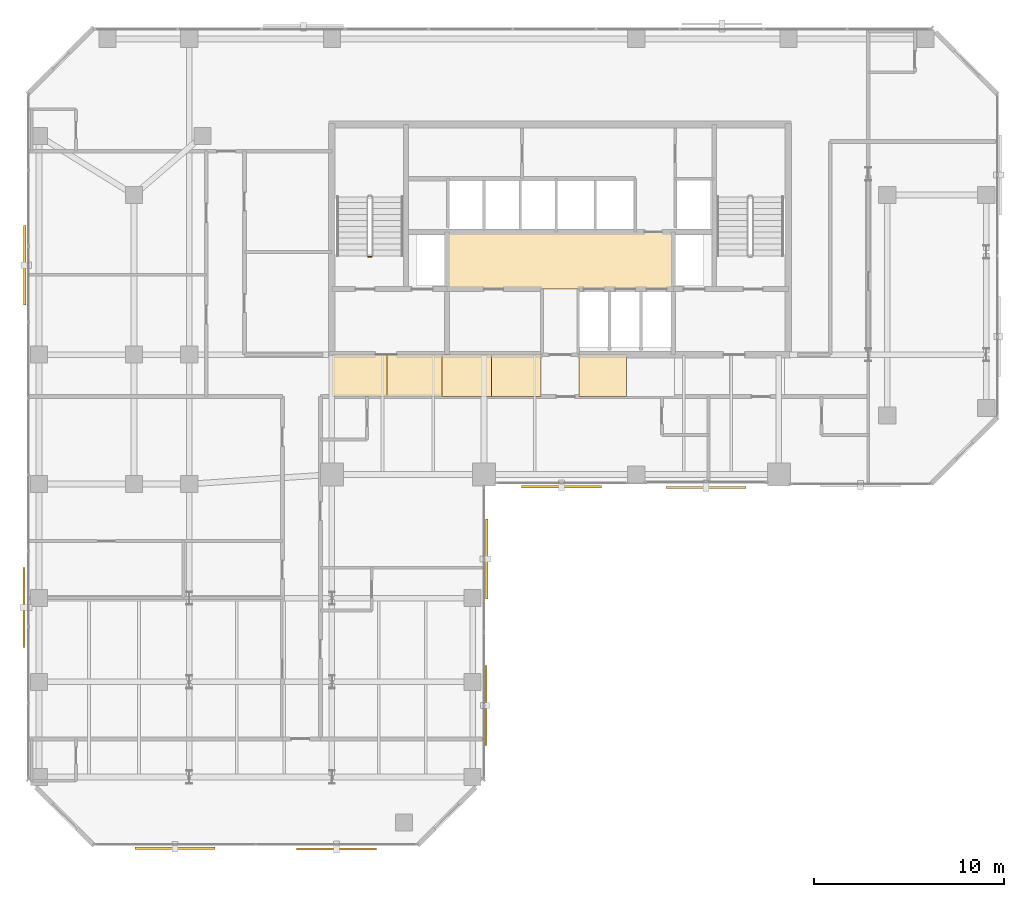
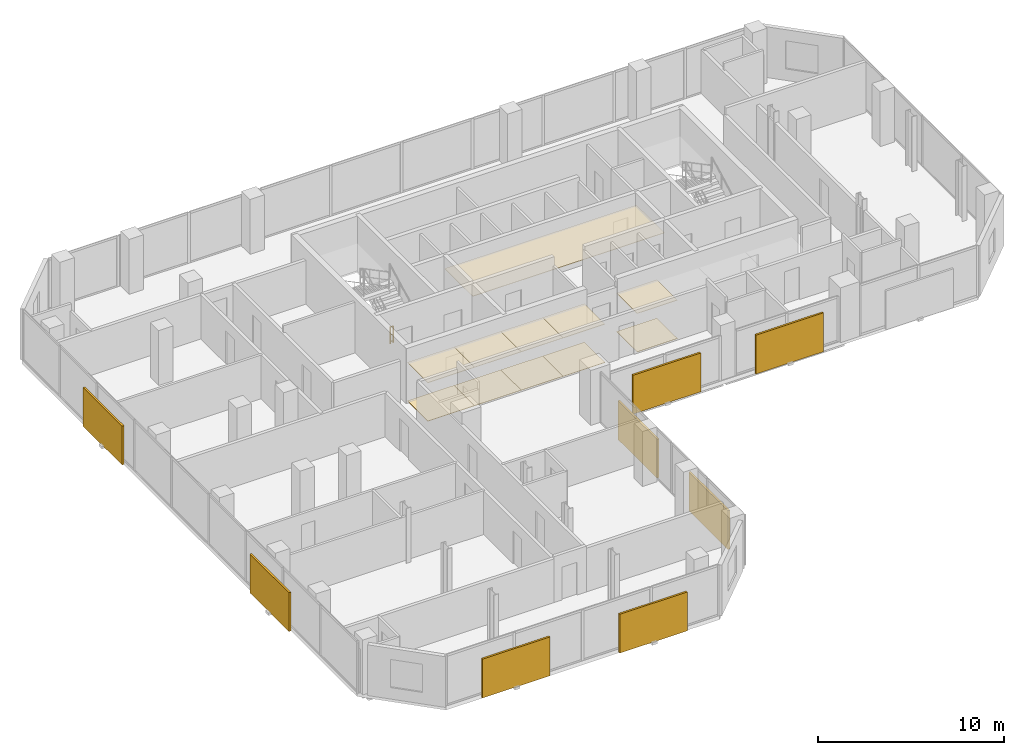
# One storey, part 32 of 33: 11 coverings, 8 shading devices, 1 railing.
"""IFC4 building model written with IfcOpenShell, lengths in metres."""

from ifc_helpers import new_model, si_unit, direction, frame, origin, origin_2d, place, context, subcontext, project, spatial, polyline, rectangle, circle, outline, extrude, material, layer, layer_set, type_object, element, save


model = new_model("IFC4")

# Units and contexts
model_context = context("Model", 3, precision=1e-05, world=origin(), true_north=direction((0.0, 1.0)))
body_context = subcontext(model_context, "Body", "Model", "MODEL_VIEW")
ifc_project = project(units=[si_unit("LENGTHUNIT", "METRE"), si_unit("AREAUNIT", "SQUARE_METRE"), si_unit("VOLUMEUNIT", "CUBIC_METRE"), si_unit("PLANEANGLEUNIT", "RADIAN"), si_unit("MASSUNIT", "GRAM", prefix="KILO")], contexts=[model_context])

# Site, building, storey
site_placement = place(None, origin())
site = spatial("IfcSite", under=ifc_project, at=site_placement, CompositionType="ELEMENT")
building_placement = place(site_placement, origin())
building = spatial("IfcBuilding", under=site, at=building_placement, Name="Catumbela Crestline Tower", CompositionType="ELEMENT")
storey_placement = place(building_placement, frame((0.0, 0.0, 100.8)))
storey = spatial("IfcBuildingStorey", under=building, at=storey_placement, Name="L25", CompositionType="ELEMENT", Elevation=100.8)

# Coverings
ifc_material_1 = material(Name="Mineral-fibre acoustic ceiling")
ifc_layer_1 = layer(ifc_material_1, 0.03, Name="Mineral-fibre acoustic ceiling")
ifc_layer_set_1 = layer_set([ifc_layer_1], Name="Mineral-fibre acoustic ceiling")
covering_type_1 = type_object("IfcCoveringType", Name="CC-AC", PredefinedType="CEILING", material=ifc_layer_set_1)
covering_1_placement = place(storey_placement, frame((0.0, 0.0, 2.65)))
element("IfcCovering", 1, at=covering_1_placement, inside=storey, type_object=covering_type_1, Name="L25 Lift Lobby Acoustic Ceiling", PredefinedType="CEILING", context=body_context, shape_type="SweptSolid", body=[
    extrude(outline(polyline([(22.05, 34.25), (33.95, 34.25), (33.95, 37.25), (22.05, 37.25), (22.05, 34.25)])), origin(), (0.0, 0.0, 1.0), 0.03),
])
covering_2_placement = place(storey_placement, frame((0.0, 0.0, 2.52)))
element("IfcCovering", 2, at=covering_2_placement, inside=storey, type_object=covering_type_1, Name="L25 Corridor Acoustic Ceiling Bay 1", PredefinedType="CEILING", context=body_context, shape_type="SweptSolid", body=[
    extrude(outline(polyline([(16.0, 28.6), (18.9, 28.6), (18.9, 30.8), (16.0, 30.8), (16.0, 28.6)])), origin(), (0.0, 0.0, 1.0), 0.03),
])
covering_3_placement = place(storey_placement, frame((0.0, 0.0, 2.52)))
element("IfcCovering", 3, at=covering_3_placement, inside=storey, type_object=covering_type_1, Name="L25 Corridor Acoustic Ceiling Bay 2", PredefinedType="CEILING", context=body_context, shape_type="SweptSolid", body=[
    extrude(outline(polyline([(18.9, 28.6), (21.8, 28.6), (21.8, 30.8), (18.9, 30.8), (18.9, 28.6)])), origin(), (0.0, 0.0, 1.0), 0.03),
])
covering_4_placement = place(storey_placement, frame((0.0, 0.0, 2.52)))
element("IfcCovering", 4, at=covering_4_placement, inside=storey, type_object=covering_type_1, Name="L25 Corridor Acoustic Ceiling Bay 3", PredefinedType="CEILING", context=body_context, shape_type="SweptSolid", body=[
    extrude(outline(polyline([(21.8, 28.6), (24.4, 28.6), (24.4, 30.8), (21.8, 30.8), (21.8, 28.6)])), origin(), (0.0, 0.0, 1.0), 0.03),
])
covering_5_placement = place(storey_placement, frame((0.0, 0.0, 2.52)))
element("IfcCovering", 5, at=covering_5_placement, inside=storey, type_object=covering_type_1, Name="L25 Corridor Acoustic Ceiling Bay 4", PredefinedType="CEILING", context=body_context, shape_type="SweptSolid", body=[
    extrude(outline(polyline([(24.4, 28.6), (27.0, 28.6), (27.0, 30.8), (24.4, 30.8), (24.4, 28.6)])), origin(), (0.0, 0.0, 1.0), 0.03),
])
covering_6_placement = place(storey_placement, frame((0.0, 0.0, 2.52)))
element("IfcCovering", 6, at=covering_6_placement, inside=storey, type_object=covering_type_1, Name="L25 Corridor Acoustic Ceiling Bay 5", PredefinedType="CEILING", context=body_context, shape_type="SweptSolid", body=[
    extrude(outline(polyline([(29.0, 28.6), (31.5, 28.6), (31.5, 30.8), (29.0, 30.8), (29.0, 28.6)])), origin(), (0.0, 0.0, 1.0), 0.03),
])
ifc_material_2 = material(Name="Angolan grey-ochre granite", Category="masonry")
ifc_layer_2 = layer(ifc_material_2, 0.025, Name="Angolan grey-ochre granite")
ifc_layer_set_2 = layer_set([ifc_layer_2], Name="Angolan grey-ochre granite")
covering_type_2 = type_object("IfcCoveringType", Name="CF-GR", PredefinedType="FLOORING", material=ifc_layer_set_2)
covering_7_placement = place(storey_placement, origin())
element("IfcCovering", 7, at=covering_7_placement, inside=storey, type_object=covering_type_2, Name="L25 Corridor Granite Flooring Bay 1", PredefinedType="FLOORING", context=body_context, shape_type="SweptSolid", body=[
    extrude(outline(polyline([(16.0, 28.6), (18.9, 28.6), (18.9, 30.8), (16.0, 30.8), (16.0, 28.6)])), origin(), (0.0, 0.0, 1.0), 0.025),
])
covering_8_placement = place(storey_placement, origin())
element("IfcCovering", 8, at=covering_8_placement, inside=storey, type_object=covering_type_2, Name="L25 Corridor Granite Flooring Bay 2", PredefinedType="FLOORING", context=body_context, shape_type="SweptSolid", body=[
    extrude(outline(polyline([(18.9, 28.6), (21.8, 28.6), (21.8, 30.8), (18.9, 30.8), (18.9, 28.6)])), origin(), (0.0, 0.0, 1.0), 0.025),
])
covering_9_placement = place(storey_placement, origin())
element("IfcCovering", 9, at=covering_9_placement, inside=storey, type_object=covering_type_2, Name="L25 Corridor Granite Flooring Bay 3", PredefinedType="FLOORING", context=body_context, shape_type="SweptSolid", body=[
    extrude(outline(polyline([(21.8, 28.6), (24.4, 28.6), (24.4, 30.8), (21.8, 30.8), (21.8, 28.6)])), origin(), (0.0, 0.0, 1.0), 0.025),
])
covering_10_placement = place(storey_placement, origin())
element("IfcCovering", 10, at=covering_10_placement, inside=storey, type_object=covering_type_2, Name="L25 Corridor Granite Flooring Bay 4", PredefinedType="FLOORING", context=body_context, shape_type="SweptSolid", body=[
    extrude(outline(polyline([(24.4, 28.6), (27.0, 28.6), (27.0, 30.8), (24.4, 30.8), (24.4, 28.6)])), origin(), (0.0, 0.0, 1.0), 0.025),
])
covering_11_placement = place(storey_placement, origin())
element("IfcCovering", 11, at=covering_11_placement, inside=storey, type_object=covering_type_2, Name="L25 Corridor Granite Flooring Bay 5", PredefinedType="FLOORING", context=body_context, shape_type="SweptSolid", body=[
    extrude(outline(polyline([(29.0, 28.6), (31.5, 28.6), (31.5, 30.8), (29.0, 30.8), (29.0, 28.6)])), origin(), (0.0, 0.0, 1.0), 0.025),
])

# Railing
ifc_material_3 = material(Name="Stainless steel EN 1.4401", Category="steel")
railing_type = type_object("IfcRailingType", Name="RG-1100", PredefinedType="GUARDRAIL", material=ifc_material_3)
railing_placement = place(storey_placement, frame((18.09, 35.95, 0.0)))
element("IfcRailing", 12, at=railing_placement, inside=storey, type_object=railing_type, Name="L25 ST-01 stair guard 4", PredefinedType="GUARDRAIL", context=body_context, shape_type="SweptSolid", body=[
    extrude(circle(Radius=0.024, at=origin_2d()), frame((0.0, 0.0, 1.076), z_axis=(-1.0, 0.0, 0.0), x_axis=(0.0, -1.0, 0.0)), (0.0, 0.0, 1.0), 0.18),
    extrude(circle(Radius=0.0156, at=origin_2d()), frame((0.0, 0.0, 0.55), z_axis=(-1.0, 0.0, 0.0), x_axis=(0.0, -1.0, 0.0)), (0.0, 0.0, 1.0), 0.18),
    extrude(circle(Radius=0.0156, at=origin_2d()), frame((0.0, 0.0, 0.12), z_axis=(-1.0, 0.0, 0.0), x_axis=(0.0, -1.0, 0.0)), (0.0, 0.0, 1.0), 0.18),
    extrude(circle(Radius=0.021, at=origin_2d()), origin(), (0.0, 0.0, 1.0), 1.052),
    extrude(circle(Radius=0.021, at=origin_2d()), frame((-0.18, 0.0, 0.0)), (0.0, 0.0, 1.0), 1.052),
])

# Shading devices
ifc_material_4 = material(Name="Extruded terracotta ceramic", Category="masonry")
shading_device_type_1 = type_object("IfcShadingDeviceType", Name="ST-180", PredefinedType="USERDEFINED", material=ifc_material_4)
shading_device_placement = place(storey_placement, frame((24.099, 12.35, -0.1), z_axis=(0.0, 0.0, 1.0), x_axis=(0.0, 1.0, 0.0)))
element("IfcShadingDevice", 13, at=shading_device_placement, inside=storey, type_object=shading_device_type_1, Name="L25 Perforated Terracotta Solar Screen 252 (180 mm)", ObjectType="SCREEN", PredefinedType="USERDEFINED", context=body_context, shape_type="SweptSolid", body=[
    extrude(rectangle(XDim=4.2, YDim=0.12, at=origin_2d()), origin(), (0.0, 0.0, 1.0), 2.55),
])
shading_device_type_2 = type_object("IfcShadingDeviceType", Name="ST-260", PredefinedType="USERDEFINED", material=ifc_material_4)
for number, where, z_axis, x_axis, name in (
    (14, (7.75, 4.857, -0.1), (0.0, 0.0, 1.0), (1.0, 0.0, 0.0), "L25 Perforated Terracotta Solar Screen 250 (260 mm)"),
    (15, (24.143, 20.05, -0.1), (0.0, 0.0, 1.0), (0.0, 1.0, 0.0), "L25 Perforated Terracotta Solar Screen 253 (260 mm)"),
    (16, (28.075, 23.857, -0.1), (0.0, 0.0, 1.0), (1.0, 0.0, 0.0), "L25 Perforated Terracotta Solar Screen 254 (260 mm)"),
    (17, (-0.143, 35.5, -0.1), (0.0, 0.0, 1.0), (0.0, -1.0, 0.0), "L25 Perforated Terracotta Solar Screen 261 (260 mm)"),
):
    element("IfcShadingDevice", number, at=place(storey_placement, frame(where, z_axis=z_axis, x_axis=x_axis)), inside=storey, type_object=shading_device_type_2, Name=name, ObjectType="SCREEN", PredefinedType="USERDEFINED", context=body_context, shape_type="SweptSolid", body=[
        extrude(rectangle(XDim=4.2, YDim=0.12, at=origin_2d()), origin(), (0.0, 0.0, 1.0), 2.55),
    ])
shading_device_type_3 = type_object("IfcShadingDeviceType", Name="ST-340", PredefinedType="USERDEFINED", material=ifc_material_4)
for number, where, z_axis, x_axis, name in (
    (18, (16.25, 4.813, -0.1), (0.0, 0.0, 1.0), (1.0, 0.0, 0.0), "L25 Perforated Terracotta Solar Screen 251 (340 mm)"),
    (19, (35.675, 23.813, -0.1), (0.0, 0.0, 1.0), (1.0, 0.0, 0.0), "L25 Perforated Terracotta Solar Screen 255 (340 mm)"),
    (20, (-0.187, 17.5, -0.1), (0.0, 0.0, 1.0), (0.0, -1.0, 0.0), "L25 Perforated Terracotta Solar Screen 262 (340 mm)"),
):
    element("IfcShadingDevice", number, at=place(storey_placement, frame(where, z_axis=z_axis, x_axis=x_axis)), inside=storey, type_object=shading_device_type_3, Name=name, ObjectType="SCREEN", PredefinedType="USERDEFINED", context=body_context, shape_type="SweptSolid", body=[
        extrude(rectangle(XDim=4.2, YDim=0.12, at=origin_2d()), origin(), (0.0, 0.0, 1.0), 2.55),
    ])

save(model, "model.ifc")
